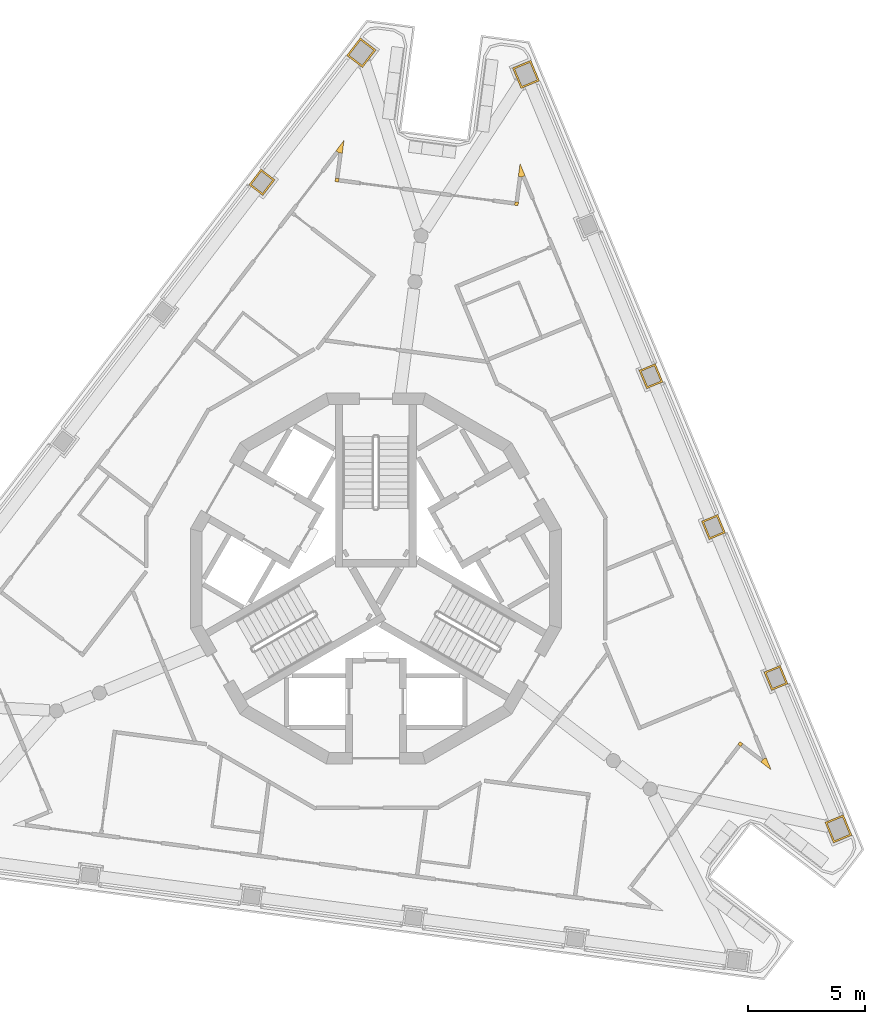
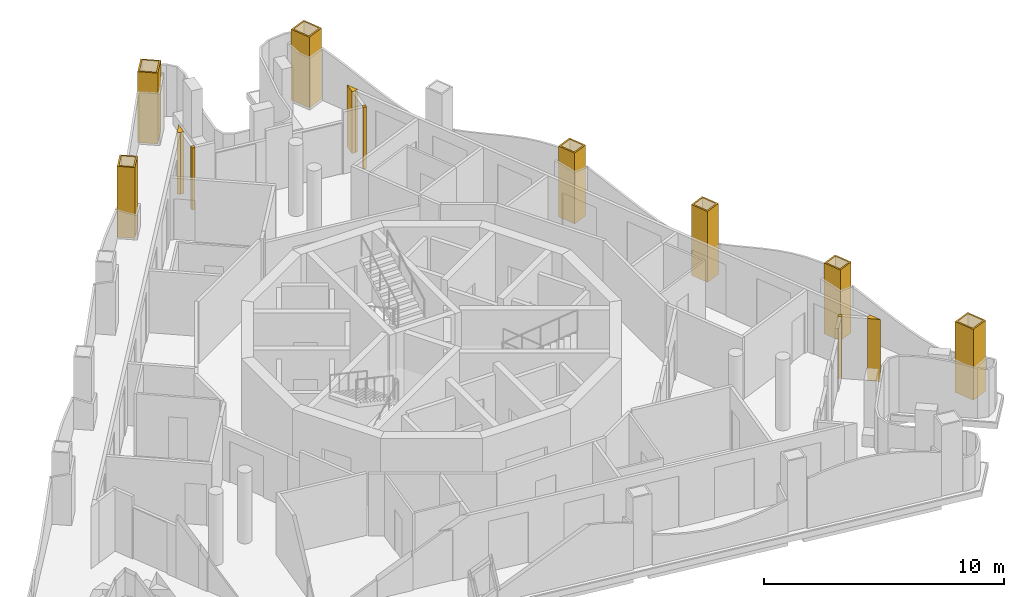
# One storey, part 11 of 12: 13 coverings.
"""IFC4 building model written with IfcOpenShell, lengths in metres."""

from ifc_helpers import new_model, si_unit, direction, frame, origin, place, context, subcontext, project, spatial, polyline, outline, extrude, material, layer, layer_set, type_object, element, save


model = new_model("IFC4")

# Units and contexts
model_context = context("Model", 3, precision=1e-05, world=origin(), true_north=direction((0.0, 1.0)))
body_context = subcontext(model_context, "Body", "Model", "MODEL_VIEW")
ifc_project = project(units=[si_unit("LENGTHUNIT", "METRE"), si_unit("AREAUNIT", "SQUARE_METRE"), si_unit("VOLUMEUNIT", "CUBIC_METRE"), si_unit("PLANEANGLEUNIT", "RADIAN"), si_unit("MASSUNIT", "GRAM", prefix="KILO")], contexts=[model_context])

# Site, building, storey
site_placement = place(None, origin())
site = spatial("IfcSite", under=ifc_project, at=site_placement, CompositionType="ELEMENT")
building_placement = place(site_placement, origin())
building = spatial("IfcBuilding", under=site, at=building_placement, Name="Trine Commons Tower", CompositionType="ELEMENT")
storey_placement = place(building_placement, frame((0.0, 0.0, 297.0)))
storey = spatial("IfcBuildingStorey", under=building, at=storey_placement, Name="L78", CompositionType="ELEMENT", Elevation=297.0)

# Coverings
ifc_material_1 = material(Name="Aluminium-framed insulated wall panel", Category="aluminium")
ifc_layer_1 = layer(ifc_material_1, 0.14990234375)
ifc_layer_set_1 = layer_set([ifc_layer_1], Name="Aluminium-framed insulated wall panel")
covering_type_1 = type_object("IfcCoveringType", Name="Glazing corner post, aluminium", PredefinedType="CLADDING", material=ifc_layer_set_1)
covering_1_placement = place(storey_placement, origin())
element("IfcCovering", 1, at=covering_1_placement, inside=storey, type_object=covering_type_1, Name="Glazing corner post 8-02", PredefinedType="CLADDING", context=body_context, shape_type="SweptSolid", body=[
    extrude(outline(polyline([(78.41845703125, 80.671875), (78.567138671875, 80.652099609375), (78.64013671875, 81.207275390625), (78.29931640625, 80.76318359375), (78.41845703125, 80.671875), (78.41845703125, 80.671875)])), origin(), (0.0, 0.0, 1.0), 3.14990234375),
])
covering_2_placement = place(storey_placement, origin())
element("IfcCovering", 2, at=covering_2_placement, inside=storey, type_object=covering_type_1, Name="Glazing corner post 8-03", PredefinedType="CLADDING", context=body_context, shape_type="SweptSolid", body=[
    extrude(outline(polyline([(78.40576171875, 79.427001953125), (78.42529296875, 79.57568359375), (78.276611328125, 79.59521484375), (78.257080078125, 79.446533203125), (78.40576171875, 79.427001953125)])), origin(), (0.0, 0.0, 1.0), 3.14990234375),
])
covering_3_placement = place(storey_placement, origin())
element("IfcCovering", 3, at=covering_3_placement, inside=storey, type_object=covering_type_1, Name="Glazing corner post 8-04", PredefinedType="CLADDING", context=body_context, shape_type="SweptSolid", body=[
    extrude(outline(polyline([(85.9208984375, 78.437744140625), (86.069580078125, 78.418212890625), (86.089111328125, 78.56689453125), (85.9404296875, 78.58642578125), (85.9208984375, 78.437744140625)])), origin(), (0.0, 0.0, 1.0), 3.14990234375),
])
covering_4_placement = place(storey_placement, origin())
element("IfcCovering", 4, at=covering_4_placement, inside=storey, type_object=covering_type_1, Name="Glazing corner post 8-05", PredefinedType="CLADDING", context=body_context, shape_type="SweptSolid", body=[
    extrude(outline(polyline([(86.082275390625, 79.662841796875), (86.23095703125, 79.643310546875), (86.369384765625, 79.70068359375), (86.1552734375, 80.2177734375), (86.082275390625, 79.662841796875)])), origin(), (0.0, 0.0, 1.0), 3.14990234375),
])
covering_5_placement = place(storey_placement, origin())
element("IfcCovering", 5, at=covering_5_placement, inside=storey, type_object=covering_type_1, Name="Glazing corner post 8-06", PredefinedType="CLADDING", context=body_context, shape_type="SweptSolid", body=[
    extrude(outline(polyline([(96.436767578125, 54.664794921875), (96.880859375, 54.32421875), (96.66650390625, 54.84130859375), (96.528076171875, 54.783935546875), (96.436767578125, 54.664794921875)])), origin(), (0.0, 0.0, 1.0), 3.14990234375),
])
covering_6_placement = place(storey_placement, origin())
element("IfcCovering", 6, at=covering_6_placement, inside=storey, type_object=covering_type_1, Name="Glazing corner post 8-07", PredefinedType="CLADDING", context=body_context, shape_type="SweptSolid", body=[
    extrude(outline(polyline([(95.456298828125, 55.4169921875), (95.575439453125, 55.32568359375), (95.666748046875, 55.44482421875), (95.547607421875, 55.5361328125), (95.456298828125, 55.4169921875)])), origin(), (0.0, 0.0, 1.0), 3.14990234375),
])
ifc_material_2 = material(Name="Limestone, honed", Category="masonry")
ifc_layer_2 = layer(ifc_material_2, 0.074951171875)
ifc_layer_set_2 = layer_set([ifc_layer_2], Name="Limestone, honed")
covering_type_2 = type_object("IfcCoveringType", Name="Limestone column cladding 75", PredefinedType="CLADDING", material=ifc_layer_set_2)
covering_7_placement = place(storey_placement, origin())
element("IfcCovering", 7, at=covering_7_placement, inside=storey, type_object=covering_type_2, Name="Limestone pier cladding 8-11", PredefinedType="CLADDING", context=body_context, shape_type="SweptSolid", body=[
    extrude(outline(polyline([(75.691650390625, 79.52490234375), (75.0966796875, 79.9814453125), (74.579345703125, 79.30712890625), (75.17431640625, 78.8505859375), (75.691650390625, 79.52490234375)]), holes=[polyline([(75.586669921875, 79.510986328125), (75.110595703125, 79.876220703125), (74.684326171875, 79.321044921875), (75.160400390625, 78.955810546875), (75.586669921875, 79.510986328125)])]), origin(), (0.0, 0.0, 1.0), 3.60009765625),
])
covering_8_placement = place(storey_placement, origin())
element("IfcCovering", 8, at=covering_8_placement, inside=storey, type_object=covering_type_2, Name="Limestone pier cladding 8-12", PredefinedType="CLADDING", context=body_context, shape_type="SweptSolid", body=[
    extrude(outline(polyline([(80.006591796875, 85.06591796875), (79.332275390625, 85.58349609375), (78.75390625, 84.829833984375), (79.42822265625, 84.312255859375), (80.006591796875, 85.06591796875)]), holes=[polyline([(79.9013671875, 85.05224609375), (79.345947265625, 85.478271484375), (78.85888671875, 84.843505859375), (79.414306640625, 84.41748046875), (79.9013671875, 85.05224609375)])]), origin(), (0.0, 0.0, 1.0), 3.60009765625),
])
covering_9_placement = place(storey_placement, origin())
element("IfcCovering", 9, at=covering_9_placement, inside=storey, type_object=covering_type_2, Name="Limestone pier cladding 8-13", PredefinedType="CLADDING", context=body_context, shape_type="SweptSolid", body=[
    extrude(outline(polyline([(86.619384765625, 84.6240234375), (85.834228515625, 84.298828125), (86.19775390625, 83.421142578125), (86.98291015625, 83.746337890625), (86.619384765625, 84.6240234375)]), holes=[polyline([(86.578857421875, 84.526123046875), (85.93212890625, 84.25830078125), (86.23828125, 83.51904296875), (86.885009765625, 83.787109375), (86.578857421875, 84.526123046875)])]), origin(), (0.0, 0.0, 1.0), 3.60009765625),
])
covering_10_placement = place(storey_placement, origin())
element("IfcCovering", 10, at=covering_10_placement, inside=storey, type_object=covering_type_2, Name="Limestone pier cladding 8-15", PredefinedType="CLADDING", context=body_context, shape_type="SweptSolid", body=[
    extrude(outline(polyline([(91.92919921875, 71.6748046875), (91.236083984375, 71.3876953125), (91.5615234375, 70.6025390625), (92.25439453125, 70.8896484375), (91.92919921875, 71.6748046875)]), holes=[polyline([(91.888427734375, 71.576904296875), (91.334228515625, 71.347412109375), (91.60205078125, 70.700439453125), (92.156494140625, 70.93017578125), (91.888427734375, 71.576904296875)])]), origin(), (0.0, 0.0, 1.0), 3.60009765625),
])
covering_11_placement = place(storey_placement, origin())
element("IfcCovering", 11, at=covering_11_placement, inside=storey, type_object=covering_type_2, Name="Limestone pier cladding 8-16", PredefinedType="CLADDING", context=body_context, shape_type="SweptSolid", body=[
    extrude(outline(polyline([(94.597412109375, 65.23291015625), (93.904541015625, 64.94580078125), (94.229736328125, 64.160400390625), (94.922607421875, 64.447509765625), (94.597412109375, 65.23291015625)]), holes=[polyline([(94.556884765625, 65.135009765625), (94.00244140625, 64.9052734375), (94.2705078125, 64.258544921875), (94.82470703125, 64.488037109375), (94.556884765625, 65.135009765625)])]), origin(), (0.0, 0.0, 1.0), 3.60009765625),
])
covering_12_placement = place(storey_placement, origin())
element("IfcCovering", 12, at=covering_12_placement, inside=storey, type_object=covering_type_2, Name="Limestone pier cladding 8-17", PredefinedType="CLADDING", context=body_context, shape_type="SweptSolid", body=[
    extrude(outline(polyline([(97.265625, 58.791015625), (96.57275390625, 58.50390625), (96.898193359375, 57.718505859375), (97.591064453125, 58.005615234375), (97.265625, 58.791015625)]), holes=[polyline([(97.22509765625, 58.69287109375), (96.6708984375, 58.46337890625), (96.938720703125, 57.81640625), (97.492919921875, 58.046142578125), (97.22509765625, 58.69287109375)])]), origin(), (0.0, 0.0, 1.0), 3.60009765625),
])
covering_13_placement = place(storey_placement, origin())
element("IfcCovering", 13, at=covering_13_placement, inside=storey, type_object=covering_type_2, Name="Limestone pier cladding 8-18", PredefinedType="CLADDING", context=body_context, shape_type="SweptSolid", body=[
    extrude(outline(polyline([(99.961181640625, 52.414306640625), (99.17578125, 52.089111328125), (99.539306640625, 51.211181640625), (100.32470703125, 51.53662109375), (99.961181640625, 52.414306640625)]), holes=[polyline([(99.920654296875, 52.31640625), (99.27392578125, 52.04833984375), (99.580078125, 51.309326171875), (100.226806640625, 51.5771484375), (99.920654296875, 52.31640625)])]), origin(), (0.0, 0.0, 1.0), 3.60009765625),
])

save(model, "model.ifc")
